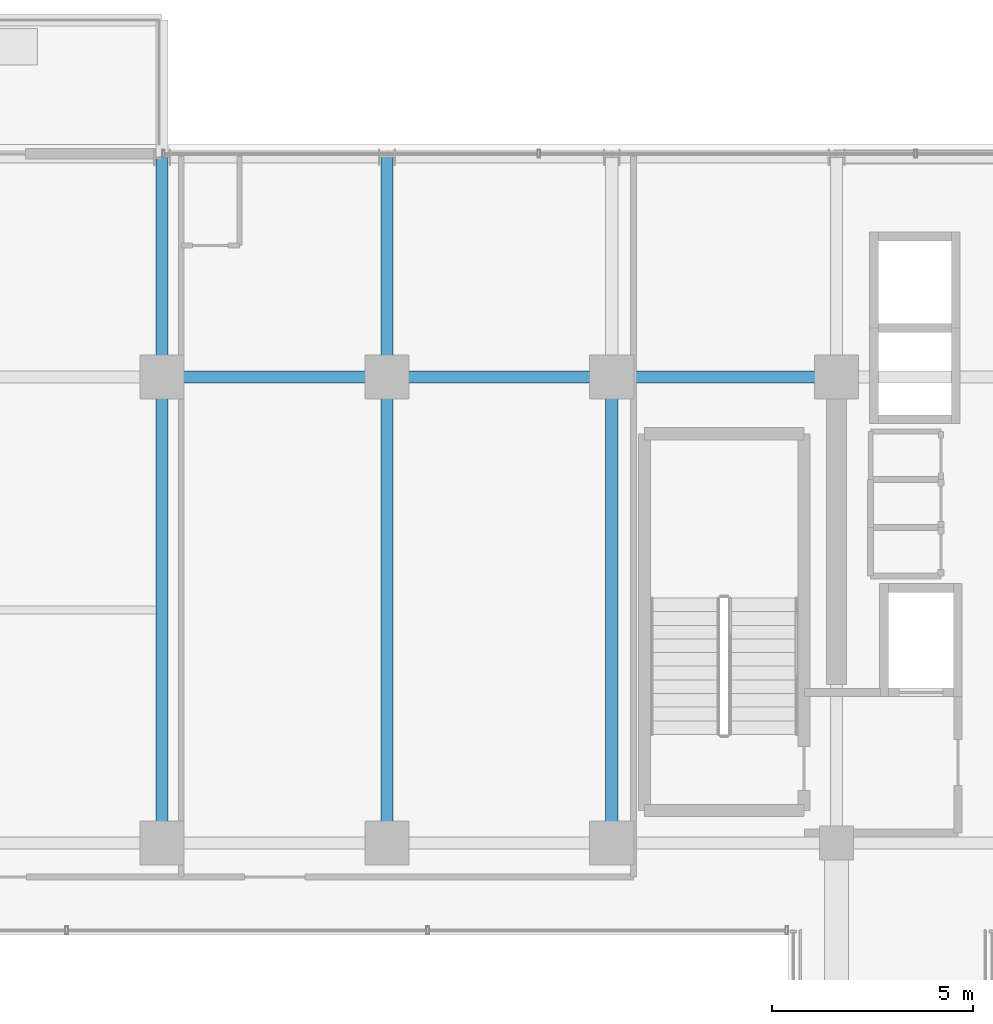
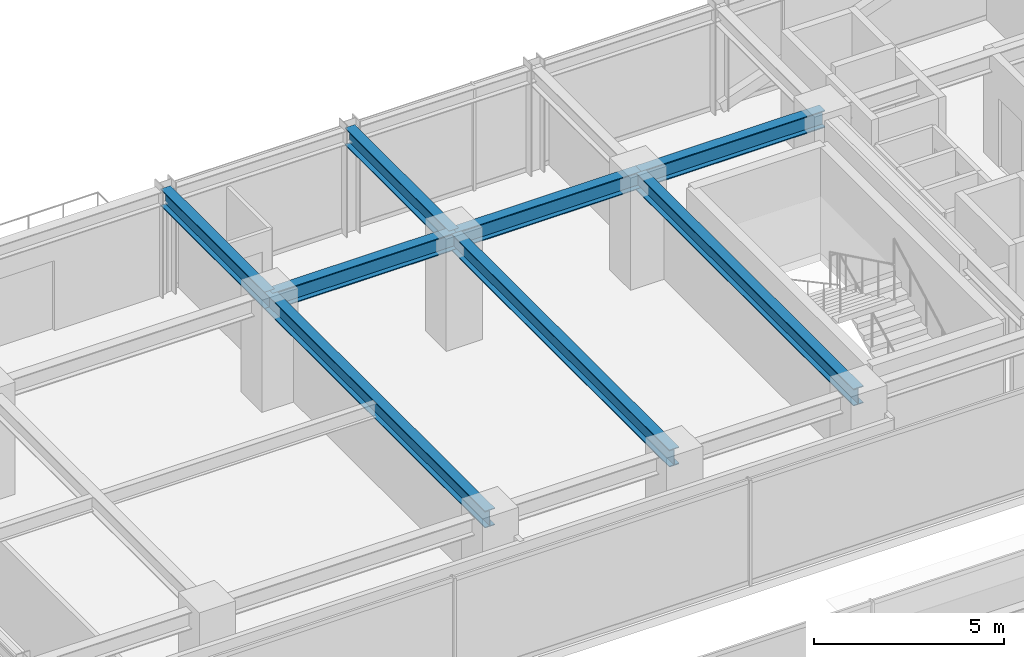
# One storey, part 24 of 37: 8 beams.
"""IFC4 building model written with IfcOpenShell, lengths in metres."""

from ifc_helpers import new_model, si_unit, direction, frame, origin, origin_2d, place, context, subcontext, project, spatial, i_section, extrude, source, transform, mapped, material, material_profile, profile_set, type_object, element, save


model = new_model("IFC4")

# Units and contexts
model_context = context("Model", 3, precision=1e-05, world=origin(), true_north=direction((0.0, 1.0)))
body_context = subcontext(model_context, "Body", "Model", "MODEL_VIEW")
ifc_project = project(units=[si_unit("LENGTHUNIT", "METRE"), si_unit("AREAUNIT", "SQUARE_METRE"), si_unit("VOLUMEUNIT", "CUBIC_METRE"), si_unit("PLANEANGLEUNIT", "RADIAN"), si_unit("MASSUNIT", "GRAM", prefix="KILO")], contexts=[model_context])

# Site, building, storey
site_placement = place(None, origin())
site = spatial("IfcSite", under=ifc_project, at=site_placement, CompositionType="ELEMENT")
building_placement = place(site_placement, origin())
building = spatial("IfcBuilding", under=site, at=building_placement, Name="Nahalor Promenade Grand Hotel", CompositionType="ELEMENT")
storey_placement = place(building_placement, frame((0.0, 0.0, 167.25)))
storey = spatial("IfcBuildingStorey", under=building, at=storey_placement, Name="L42", CompositionType="ELEMENT", Elevation=167.25)

# Beams
ifc_material = material(Name="Steel S355JR", Category="steel")
ifc_material_profile = material_profile(ifc_material, i_section(OverallWidth=0.3, OverallDepth=0.55, WebThickness=0.015, FlangeThickness=0.029, at=origin_2d()), Name="HEB 550")
ifc_profile_set = profile_set([ifc_material_profile], Name="Steel S355JR")
beam_type = type_object("IfcBeamType", Name="Beam-Girder-HEB550", PredefinedType="BEAM", material=ifc_profile_set)
shared_shape_1 = source(origin(), body_context, "Body", "SweptSolid", [
    extrude(i_section(OverallWidth=0.3, OverallDepth=0.55, WebThickness=0.015, FlangeThickness=0.029, at=origin_2d()), origin(), (0.0, 0.0, 1.0), 5.599853515625),
])
for number, where, z_axis, x_axis, name in (
    (1, (-8.39990234375, 17.0, 3.114990234375), (1.0, 0.0, 0.0), (0.0, 1.0, 0.0), "BM-L42-GX-3-2"),
    (2, (2.800048828125, 17.0, 3.114990234375), (1.0, 0.0, 0.0), (0.0, 1.0, 0.0), "BM-L42-GX-3-4"),
):
    element("IfcBeam", number, at=place(storey_placement, frame(where, z_axis=z_axis, x_axis=x_axis)), inside=storey, type_object=beam_type, Name=name, PredefinedType="BEAM", context=body_context, shape_type="MappedRepresentation", body=[
        mapped(shared_shape_1, transform((0.0, 0.0, 0.0), scale=1.0)),
    ])
shared_shape_2 = source(origin(), body_context, "Body", "SweptSolid", [
    extrude(i_section(OverallWidth=0.3, OverallDepth=0.55, WebThickness=0.015, FlangeThickness=0.029, at=origin_2d()), origin(), (0.0, 0.0, 1.0), 5.60009765625),
])
beam_placement = place(storey_placement, frame((-2.800048828125, 17.0, 3.114990234375), z_axis=(1.0, 0.0, 0.0), x_axis=(0.0, 1.0, 0.0)))
element("IfcBeam", 3, at=beam_placement, inside=storey, type_object=beam_type, Name="BM-L42-GX-3-3", PredefinedType="BEAM", context=body_context, shape_type="MappedRepresentation", body=[
    mapped(shared_shape_2, transform((0.0, 0.0, 0.0), scale=1.0)),
])
shared_shape_3 = source(origin(), body_context, "Body", "SweptSolid", [
    extrude(i_section(OverallWidth=0.3, OverallDepth=0.55, WebThickness=0.015, FlangeThickness=0.029, at=origin_2d()), origin(), (0.0, 0.0, 1.0), 11.60009765625),
])
for number, where, z_axis, x_axis, name in (
    (4, (-8.39990234375, 5.39990234375, 3.114990234375), (0.0, 1.0, 0.0), (-1.0, 0.0, 0.0), "BM-L42-GY-1-3"),
    (5, (-2.800048828125, 5.39990234375, 3.114990234375), (0.0, 1.0, 0.0), (-1.0, 0.0, 0.0), "BM-L42-GY-2-3"),
    (6, (2.800048828125, 5.39990234375, 3.114990234375), (0.0, 1.0, 0.0), (-1.0, 0.0, 0.0), "BM-L42-GY-3-3"),
):
    element("IfcBeam", number, at=place(storey_placement, frame(where, z_axis=z_axis, x_axis=x_axis)), inside=storey, type_object=beam_type, Name=name, PredefinedType="BEAM", context=body_context, shape_type="MappedRepresentation", body=[
        mapped(shared_shape_3, transform((0.0, 0.0, 0.0), scale=1.0)),
    ])
shared_shape_4 = source(origin(), body_context, "Body", "SweptSolid", [
    extrude(i_section(OverallWidth=0.3, OverallDepth=0.55, WebThickness=0.015, FlangeThickness=0.029, at=origin_2d()), origin(), (0.0, 0.0, 1.0), 5.47998046875),
])
for number, where, z_axis, x_axis, name in (
    (7, (-8.39990234375, 17.0, 3.114990234375), (0.0, 1.0, 0.0), (-1.0, 0.0, 0.0), "BM-L42-GY-1-4"),
    (8, (-2.800048828125, 17.0, 3.114990234375), (0.0, 1.0, 0.0), (-1.0, 0.0, 0.0), "BM-L42-GY-2-4"),
):
    element("IfcBeam", number, at=place(storey_placement, frame(where, z_axis=z_axis, x_axis=x_axis)), inside=storey, type_object=beam_type, Name=name, PredefinedType="BEAM", context=body_context, shape_type="MappedRepresentation", body=[
        mapped(shared_shape_4, transform((0.0, 0.0, 0.0), scale=1.0)),
    ])

save(model, "model.ifc")
